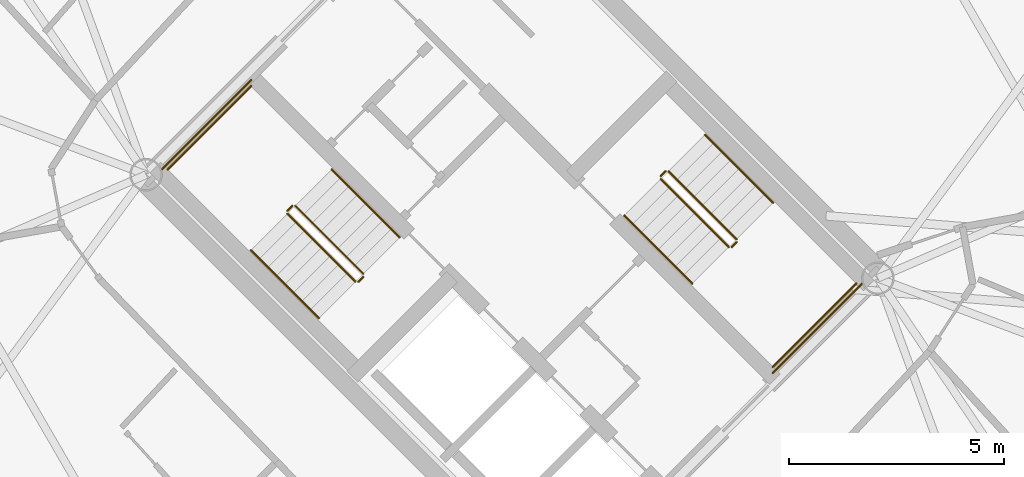
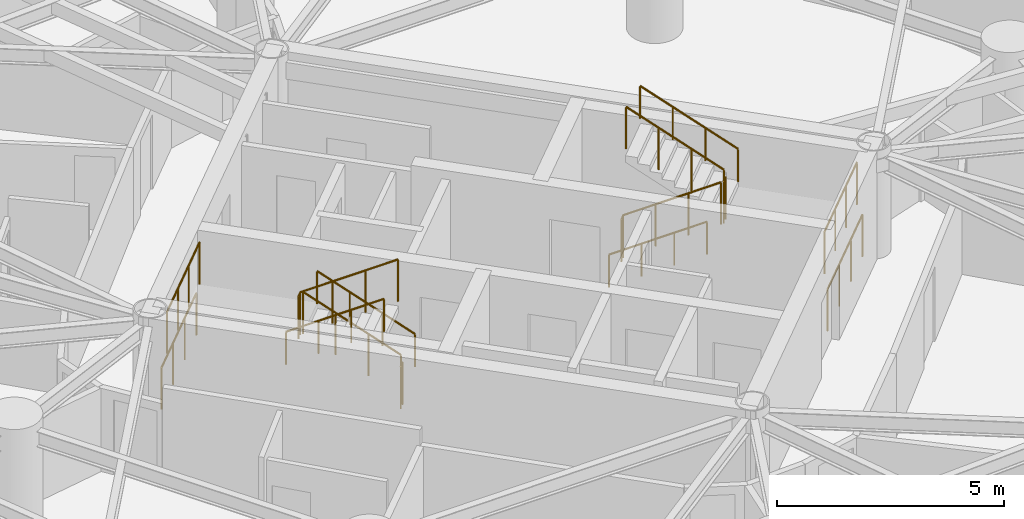
# One storey, part 18 of 19: 16 railings.
"""IFC4 building model written with IfcOpenShell, lengths in metres."""

from ifc_helpers import new_model, si_unit, direction, frame, origin, origin_2d, place, context, subcontext, project, spatial, circle, extrude, material, type_object, element, save


model = new_model("IFC4")

# Units and contexts
model_context = context("Model", 3, precision=1e-05, world=origin(), true_north=direction((0.0, 1.0)))
body_context = subcontext(model_context, "Body", "Model", "MODEL_VIEW")
ifc_project = project(units=[si_unit("LENGTHUNIT", "METRE"), si_unit("AREAUNIT", "SQUARE_METRE"), si_unit("VOLUMEUNIT", "CUBIC_METRE"), si_unit("PLANEANGLEUNIT", "RADIAN"), si_unit("MASSUNIT", "GRAM", prefix="KILO")], contexts=[model_context])

# Site, building, storey
site_placement = place(None, origin())
site = spatial("IfcSite", under=ifc_project, at=site_placement, CompositionType="ELEMENT")
building_placement = place(site_placement, origin())
building = spatial("IfcBuilding", under=site, at=building_placement, Name="Cununo Teusaquillo Station Towers", CompositionType="ELEMENT")
storey_placement = place(building_placement, frame((0.0, 0.0, 151.60009765625)))
storey = spatial("IfcBuildingStorey", under=building, at=storey_placement, Name="L47", CompositionType="ELEMENT", Elevation=151.60009765625)

# Railings
ifc_material_1 = material(Name="Steel EN 10025-2 S355J2", Category="steel")
railing_type_1 = type_object("IfcRailingType", Name="RL-INT-GUARD", PredefinedType="GUARDRAIL", material=ifc_material_1)
railing_1_placement = place(storey_placement, frame((54.03515625, 23.39697265625, 0.16162109375)))
element("IfcRailing", 1, at=railing_1_placement, inside=storey, type_object=railing_type_1, Name="L47 ST-T2-1 stair guard 1", PredefinedType="GUARDRAIL", context=body_context, shape_type="SweptSolid", body=[
    extrude(circle(Radius=0.02392578125, at=origin_2d()), frame((0.0, 0.0, 1.1259765625), z_axis=(-0.612361259024, 0.612361259024, 0.500027376144), x_axis=(-0.707106781187, -0.707106781187, 0.0)), (0.0, 0.0, 1.0), 2.586181640625),
    extrude(circle(Radius=0.02099609375, at=origin_2d()), origin(), (0.0, 0.0, 1.0), 1.101806640625),
    extrude(circle(Radius=0.02099609375, at=origin_2d()), frame((-0.52783203125, 0.52783203125, 0.43115234375)), (0.0, 0.0, 1.0), 1.101806640625),
    extrude(circle(Radius=0.02099609375, at=origin_2d()), frame((-1.055908203125, 1.055908203125, 0.862060546875)), (0.0, 0.0, 1.0), 1.101806640625),
    extrude(circle(Radius=0.02099609375, at=origin_2d()), frame((-1.583740234375, 1.583740234375, 1.293212890625)), (0.0, 0.0, 1.0), 1.101806640625),
])
railing_2_placement = place(storey_placement, frame((52.380615234375, 24.980712890625, 1.454833984375)))
element("IfcRailing", 2, at=railing_2_placement, inside=storey, type_object=railing_type_1, Name="L47 ST-T2-1 stair guard 2", PredefinedType="GUARDRAIL", context=body_context, shape_type="SweptSolid", body=[
    extrude(circle(Radius=0.02392578125, at=origin_2d()), frame((0.0, 0.0, 1.1259765625), z_axis=(-0.7078691598, -0.706343579714, 0.0), x_axis=(0.706343579714, -0.7078691598, 0.0)), (0.0, 0.0, 1.0), 0.159912109375),
    extrude(circle(Radius=0.02099609375, at=origin_2d()), origin(), (0.0, 0.0, 1.0), 1.101806640625),
    extrude(circle(Radius=0.02099609375, at=origin_2d()), frame((-0.11328125, -0.113037109375, 0.0)), (0.0, 0.0, 1.0), 1.101806640625),
])
railing_3_placement = place(storey_placement, frame((51.426025390625, 27.77392578125, 1.454833984375)))
element("IfcRailing", 3, at=railing_3_placement, inside=storey, type_object=railing_type_1, Name="L47 ST-T2-1 stair guard 3", PredefinedType="GUARDRAIL", context=body_context, shape_type="SweptSolid", body=[
    extrude(circle(Radius=0.02392578125, at=origin_2d()), frame((0.0, 0.0, 1.1259765625), z_axis=(-0.707106781187, -0.707106781187, 0.0), x_axis=(0.707106781187, -0.707106781187, 0.0)), (0.0, 0.0, 1.0), 2.760009765625),
    extrude(circle(Radius=0.02099609375, at=origin_2d()), origin(), (0.0, 0.0, 1.0), 1.101806640625),
    extrude(circle(Radius=0.02099609375, at=origin_2d()), frame((-0.650634765625, -0.650634765625, 0.0)), (0.0, 0.0, 1.0), 1.101806640625),
    extrude(circle(Radius=0.02099609375, at=origin_2d()), frame((-1.301025390625, -1.301025390625, 0.0)), (0.0, 0.0, 1.0), 1.101806640625),
    extrude(circle(Radius=0.02099609375, at=origin_2d()), frame((-1.95166015625, -1.95166015625, 0.0)), (0.0, 0.0, 1.0), 1.101806640625),
])
railing_4_placement = place(storey_placement, frame((52.267333984375, 24.796875, 1.616455078125)))
element("IfcRailing", 4, at=railing_4_placement, inside=storey, type_object=railing_type_1, Name="L47 ST-T2-1 stair guard 4", PredefinedType="GUARDRAIL", context=body_context, shape_type="SweptSolid", body=[
    extrude(circle(Radius=0.02392578125, at=origin_2d()), frame((0.0, 0.0, 1.1259765625), z_axis=(0.612391349474, -0.612296961165, 0.500069261639), x_axis=(0.707052281454, 0.707161276719, 0.0)), (0.0, 0.0, 1.0), 2.586669921875),
    extrude(circle(Radius=0.02099609375, at=origin_2d()), origin(), (0.0, 0.0, 1.0), 1.101806640625),
    extrude(circle(Radius=0.02099609375, at=origin_2d()), frame((0.528076171875, -0.52783203125, 0.43115234375)), (0.0, 0.0, 1.0), 1.101806640625),
    extrude(circle(Radius=0.02099609375, at=origin_2d()), frame((1.055908203125, -1.055908203125, 0.8623046875)), (0.0, 0.0, 1.0), 1.101806640625),
    extrude(circle(Radius=0.02099609375, at=origin_2d()), frame((1.583984375, -1.583740234375, 1.29345703125)), (0.0, 0.0, 1.0), 1.101806640625),
])
railing_5_placement = place(storey_placement, frame((54.03515625, 23.326171875, 0.0)))
element("IfcRailing", 5, at=railing_5_placement, inside=storey, type_object=railing_type_1, Name="L47 ST-T2-1 stair guard 5", PredefinedType="GUARDRAIL", context=body_context, shape_type="SweptSolid", body=[
    extrude(circle(Radius=0.02392578125, at=origin_2d()), frame((0.0, 0.0, 1.1259765625), z_axis=(-0.707106781187, -0.707106781187, 0.0), x_axis=(0.707106781187, -0.707106781187, 0.0)), (0.0, 0.0, 1.0), 0.159912109375),
    extrude(circle(Radius=0.02099609375, at=origin_2d()), origin(), (0.0, 0.0, 1.0), 1.101806640625),
    extrude(circle(Radius=0.02099609375, at=origin_2d()), frame((-0.113037109375, -0.113037109375, 0.0)), (0.0, 0.0, 1.0), 1.101806640625),
])
railing_6_placement = place(storey_placement, frame((51.426025390625, 27.915283203125, 0.0)))
element("IfcRailing", 6, at=railing_6_placement, inside=storey, type_object=railing_type_1, Name="L47 ST-T2-1 stair guard 6", PredefinedType="GUARDRAIL", context=body_context, shape_type="SweptSolid", body=[
    extrude(circle(Radius=0.02392578125, at=origin_2d()), frame((0.0, 0.0, 1.1259765625), z_axis=(-0.707106781187, -0.707106781187, 0.0), x_axis=(0.707106781187, -0.707106781187, 0.0)), (0.0, 0.0, 1.0), 2.9599609375),
    extrude(circle(Radius=0.02099609375, at=origin_2d()), origin(), (0.0, 0.0, 1.0), 1.101806640625),
    extrude(circle(Radius=0.02099609375, at=origin_2d()), frame((-0.69775390625, -0.69775390625, 0.0)), (0.0, 0.0, 1.0), 1.101806640625),
    extrude(circle(Radius=0.02099609375, at=origin_2d()), frame((-1.395263671875, -1.395263671875, 0.0)), (0.0, 0.0, 1.0), 1.101806640625),
    extrude(circle(Radius=0.02099609375, at=origin_2d()), frame((-2.093017578125, -2.093017578125, 0.0)), (0.0, 0.0, 1.0), 1.101806640625),
])
railing_7_placement = place(storey_placement, frame((60.96484375, 25.60302734375, 0.16162109375)))
element("IfcRailing", 7, at=railing_7_placement, inside=storey, type_object=railing_type_1, Name="L47 ST-T2-2 stair guard 1", PredefinedType="GUARDRAIL", context=body_context, shape_type="SweptSolid", body=[
    extrude(circle(Radius=0.02392578125, at=origin_2d()), frame((0.0, 0.0, 1.1259765625), z_axis=(0.612361259024, -0.612361259024, 0.500027376144), x_axis=(0.707106781187, 0.707106781187, 0.0)), (0.0, 0.0, 1.0), 2.586181640625),
    extrude(circle(Radius=0.02099609375, at=origin_2d()), origin(), (0.0, 0.0, 1.0), 1.101806640625),
    extrude(circle(Radius=0.02099609375, at=origin_2d()), frame((0.52783203125, -0.52783203125, 0.43115234375)), (0.0, 0.0, 1.0), 1.101806640625),
    extrude(circle(Radius=0.02099609375, at=origin_2d()), frame((1.055908203125, -1.055908203125, 0.862060546875)), (0.0, 0.0, 1.0), 1.101806640625),
    extrude(circle(Radius=0.02099609375, at=origin_2d()), frame((1.583740234375, -1.583740234375, 1.293212890625)), (0.0, 0.0, 1.0), 1.101806640625),
])
railing_8_placement = place(storey_placement, frame((62.619384765625, 24.019287109375, 1.454833984375)))
element("IfcRailing", 8, at=railing_8_placement, inside=storey, type_object=railing_type_1, Name="L47 ST-T2-2 stair guard 2", PredefinedType="GUARDRAIL", context=body_context, shape_type="SweptSolid", body=[
    extrude(circle(Radius=0.02392578125, at=origin_2d()), frame((0.0, 0.0, 1.1259765625), z_axis=(0.7078691598, 0.706343579714, 0.0), x_axis=(-0.706343579714, 0.7078691598, 0.0)), (0.0, 0.0, 1.0), 0.159912109375),
    extrude(circle(Radius=0.02099609375, at=origin_2d()), origin(), (0.0, 0.0, 1.0), 1.101806640625),
    extrude(circle(Radius=0.02099609375, at=origin_2d()), frame((0.11328125, 0.113037109375, 0.0)), (0.0, 0.0, 1.0), 1.101806640625),
])
railing_9_placement = place(storey_placement, frame((63.573974609375, 21.22607421875, 1.454833984375)))
element("IfcRailing", 9, at=railing_9_placement, inside=storey, type_object=railing_type_1, Name="L47 ST-T2-2 stair guard 3", PredefinedType="GUARDRAIL", context=body_context, shape_type="SweptSolid", body=[
    extrude(circle(Radius=0.02392578125, at=origin_2d()), frame((0.0, 0.0, 1.1259765625), z_axis=(0.707106781187, 0.707106781187, 0.0), x_axis=(-0.707106781187, 0.707106781187, 0.0)), (0.0, 0.0, 1.0), 2.760009765625),
    extrude(circle(Radius=0.02099609375, at=origin_2d()), origin(), (0.0, 0.0, 1.0), 1.101806640625),
    extrude(circle(Radius=0.02099609375, at=origin_2d()), frame((0.650634765625, 0.650634765625, 0.0)), (0.0, 0.0, 1.0), 1.101806640625),
    extrude(circle(Radius=0.02099609375, at=origin_2d()), frame((1.301025390625, 1.301025390625, 0.0)), (0.0, 0.0, 1.0), 1.101806640625),
    extrude(circle(Radius=0.02099609375, at=origin_2d()), frame((1.95166015625, 1.95166015625, 0.0)), (0.0, 0.0, 1.0), 1.101806640625),
])
railing_10_placement = place(storey_placement, frame((62.732666015625, 24.203125, 1.616455078125)))
element("IfcRailing", 10, at=railing_10_placement, inside=storey, type_object=railing_type_1, Name="L47 ST-T2-2 stair guard 4", PredefinedType="GUARDRAIL", context=body_context, shape_type="SweptSolid", body=[
    extrude(circle(Radius=0.02392578125, at=origin_2d()), frame((0.0, 0.0, 1.1259765625), z_axis=(-0.612391349474, 0.612296961165, 0.500069261639), x_axis=(-0.707052281454, -0.707161276719, 0.0)), (0.0, 0.0, 1.0), 2.586669921875),
    extrude(circle(Radius=0.02099609375, at=origin_2d()), origin(), (0.0, 0.0, 1.0), 1.101806640625),
    extrude(circle(Radius=0.02099609375, at=origin_2d()), frame((-0.528076171875, 0.52783203125, 0.43115234375)), (0.0, 0.0, 1.0), 1.101806640625),
    extrude(circle(Radius=0.02099609375, at=origin_2d()), frame((-1.055908203125, 1.055908203125, 0.8623046875)), (0.0, 0.0, 1.0), 1.101806640625),
    extrude(circle(Radius=0.02099609375, at=origin_2d()), frame((-1.583984375, 1.583740234375, 1.29345703125)), (0.0, 0.0, 1.0), 1.101806640625),
])
railing_11_placement = place(storey_placement, frame((60.96484375, 25.673828125, 0.0)))
element("IfcRailing", 11, at=railing_11_placement, inside=storey, type_object=railing_type_1, Name="L47 ST-T2-2 stair guard 5", PredefinedType="GUARDRAIL", context=body_context, shape_type="SweptSolid", body=[
    extrude(circle(Radius=0.02392578125, at=origin_2d()), frame((0.0, 0.0, 1.1259765625), z_axis=(0.707106781187, 0.707106781187, 0.0), x_axis=(-0.707106781187, 0.707106781187, 0.0)), (0.0, 0.0, 1.0), 0.159912109375),
    extrude(circle(Radius=0.02099609375, at=origin_2d()), origin(), (0.0, 0.0, 1.0), 1.101806640625),
    extrude(circle(Radius=0.02099609375, at=origin_2d()), frame((0.113037109375, 0.113037109375, 0.0)), (0.0, 0.0, 1.0), 1.101806640625),
])
railing_12_placement = place(storey_placement, frame((63.573974609375, 21.084716796875, 0.0)))
element("IfcRailing", 12, at=railing_12_placement, inside=storey, type_object=railing_type_1, Name="L47 ST-T2-2 stair guard 6", PredefinedType="GUARDRAIL", context=body_context, shape_type="SweptSolid", body=[
    extrude(circle(Radius=0.02392578125, at=origin_2d()), frame((0.0, 0.0, 1.1259765625), z_axis=(0.707106781187, 0.707106781187, 0.0), x_axis=(-0.707106781187, 0.707106781187, 0.0)), (0.0, 0.0, 1.0), 2.9599609375),
    extrude(circle(Radius=0.02099609375, at=origin_2d()), origin(), (0.0, 0.0, 1.0), 1.101806640625),
    extrude(circle(Radius=0.02099609375, at=origin_2d()), frame((0.69775390625, 0.69775390625, 0.0)), (0.0, 0.0, 1.0), 1.101806640625),
    extrude(circle(Radius=0.02099609375, at=origin_2d()), frame((1.395263671875, 1.395263671875, 0.0)), (0.0, 0.0, 1.0), 1.101806640625),
    extrude(circle(Radius=0.02099609375, at=origin_2d()), frame((2.093017578125, 2.093017578125, 0.0)), (0.0, 0.0, 1.0), 1.101806640625),
])
ifc_material_2 = material(Name="Steel EN 10025-2 S355J2", Category="steel")
railing_type_2 = type_object("IfcRailingType", Name="RL-INT-HRAIL", PredefinedType="HANDRAIL", material=ifc_material_2)
railing_13_placement = place(storey_placement, frame((54.8837890625, 24.245361328125, 0.16162109375)))
element("IfcRailing", 13, at=railing_13_placement, inside=storey, type_object=railing_type_2, Name="L47 ST-T2-1 stair handrail 1", PredefinedType="HANDRAIL", context=body_context, shape_type="SweptSolid", body=[
    extrude(circle(Radius=0.02392578125, at=origin_2d()), frame((0.0, 0.0, 0.8759765625), z_axis=(-0.612384857071, 0.612384857071, 0.499969572735), x_axis=(-0.707106781187, -0.707106781187, 0.0)), (0.0, 0.0, 1.0), 2.586669921875),
    extrude(circle(Radius=0.02099609375, at=origin_2d()), origin(), (0.0, 0.0, 1.0), 0.851806640625),
    extrude(circle(Radius=0.02099609375, at=origin_2d()), frame((-0.528076171875, 0.528076171875, 0.43115234375)), (0.0, 0.0, 1.0), 0.851806640625),
    extrude(circle(Radius=0.02099609375, at=origin_2d()), frame((-1.055908203125, 1.055908203125, 0.862060546875)), (0.0, 0.0, 1.0), 0.851806640625),
    extrude(circle(Radius=0.02099609375, at=origin_2d()), frame((-1.583984375, 1.583984375, 1.293212890625)), (0.0, 0.0, 1.0), 0.851806640625),
])
railing_14_placement = place(storey_placement, frame((51.4189453125, 23.948486328125, 1.616455078125)))
element("IfcRailing", 14, at=railing_14_placement, inside=storey, type_object=railing_type_2, Name="L47 ST-T2-1 stair handrail 2", PredefinedType="HANDRAIL", context=body_context, shape_type="SweptSolid", body=[
    extrude(circle(Radius=0.02392578125, at=origin_2d()), frame((0.0, 0.0, 0.8759765625), z_axis=(0.612355957468, -0.612355957468, 0.500040361077), x_axis=(0.707106781187, 0.707106781187, 0.0)), (0.0, 0.0, 1.0), 2.586669921875),
    extrude(circle(Radius=0.02099609375, at=origin_2d()), origin(), (0.0, 0.0, 1.0), 0.851806640625),
    extrude(circle(Radius=0.02099609375, at=origin_2d()), frame((0.528076171875, -0.528076171875, 0.43115234375)), (0.0, 0.0, 1.0), 0.851806640625),
    extrude(circle(Radius=0.02099609375, at=origin_2d()), frame((1.055908203125, -1.055908203125, 0.8623046875)), (0.0, 0.0, 1.0), 0.851806640625),
    extrude(circle(Radius=0.02099609375, at=origin_2d()), frame((1.583984375, -1.583984375, 1.29345703125)), (0.0, 0.0, 1.0), 0.851806640625),
])
railing_15_placement = place(storey_placement, frame((60.1162109375, 24.754638671875, 0.16162109375)))
element("IfcRailing", 15, at=railing_15_placement, inside=storey, type_object=railing_type_2, Name="L47 ST-T2-2 stair handrail 1", PredefinedType="HANDRAIL", context=body_context, shape_type="SweptSolid", body=[
    extrude(circle(Radius=0.02392578125, at=origin_2d()), frame((0.0, 0.0, 0.8759765625), z_axis=(0.612384857071, -0.612384857071, 0.499969572735), x_axis=(0.707106781187, 0.707106781187, 0.0)), (0.0, 0.0, 1.0), 2.586669921875),
    extrude(circle(Radius=0.02099609375, at=origin_2d()), origin(), (0.0, 0.0, 1.0), 0.851806640625),
    extrude(circle(Radius=0.02099609375, at=origin_2d()), frame((0.528076171875, -0.528076171875, 0.43115234375)), (0.0, 0.0, 1.0), 0.851806640625),
    extrude(circle(Radius=0.02099609375, at=origin_2d()), frame((1.055908203125, -1.055908203125, 0.862060546875)), (0.0, 0.0, 1.0), 0.851806640625),
    extrude(circle(Radius=0.02099609375, at=origin_2d()), frame((1.583984375, -1.583984375, 1.293212890625)), (0.0, 0.0, 1.0), 0.851806640625),
])
railing_16_placement = place(storey_placement, frame((63.5810546875, 25.051513671875, 1.616455078125)))
element("IfcRailing", 16, at=railing_16_placement, inside=storey, type_object=railing_type_2, Name="L47 ST-T2-2 stair handrail 2", PredefinedType="HANDRAIL", context=body_context, shape_type="SweptSolid", body=[
    extrude(circle(Radius=0.02392578125, at=origin_2d()), frame((0.0, 0.0, 0.8759765625), z_axis=(-0.612355957468, 0.612355957468, 0.500040361077), x_axis=(-0.707106781187, -0.707106781187, 0.0)), (0.0, 0.0, 1.0), 2.586669921875),
    extrude(circle(Radius=0.02099609375, at=origin_2d()), origin(), (0.0, 0.0, 1.0), 0.851806640625),
    extrude(circle(Radius=0.02099609375, at=origin_2d()), frame((-0.528076171875, 0.528076171875, 0.43115234375)), (0.0, 0.0, 1.0), 0.851806640625),
    extrude(circle(Radius=0.02099609375, at=origin_2d()), frame((-1.055908203125, 1.055908203125, 0.8623046875)), (0.0, 0.0, 1.0), 0.851806640625),
    extrude(circle(Radius=0.02099609375, at=origin_2d()), frame((-1.583984375, 1.583984375, 1.29345703125)), (0.0, 0.0, 1.0), 0.851806640625),
])

save(model, "model.ifc")
